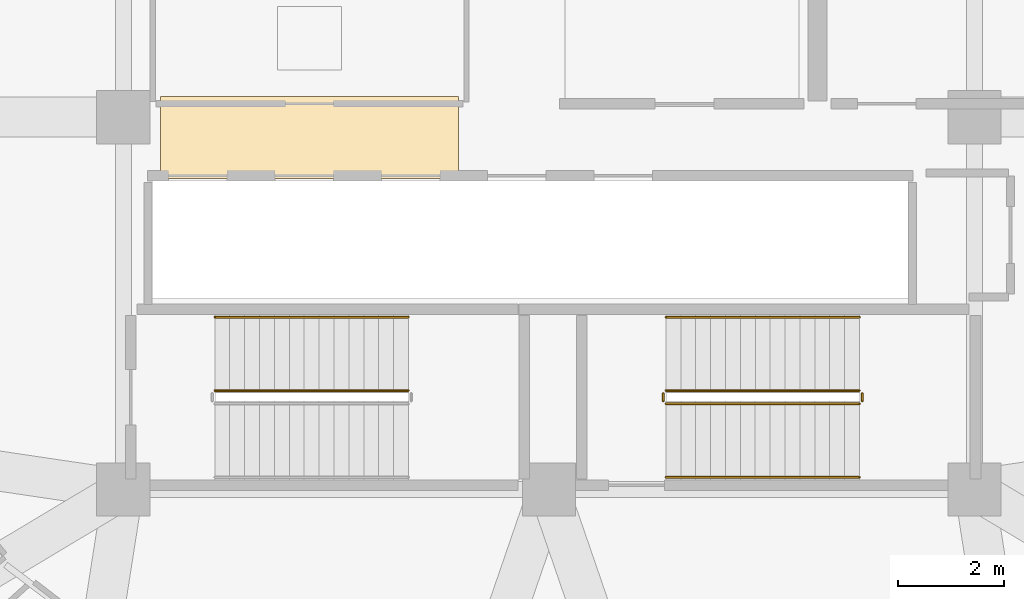
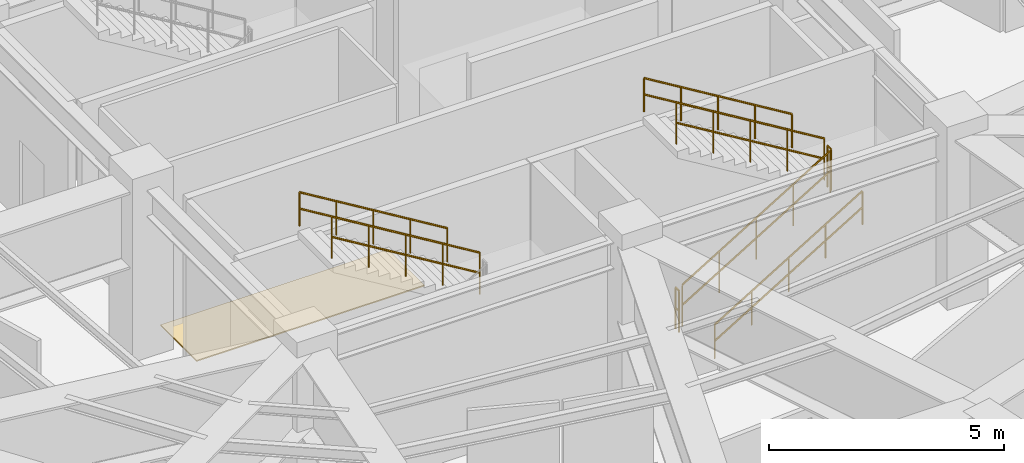
# One storey, part 27 of 29: 8 railings, 1 covering.
"""IFC4 building model written with IfcOpenShell, lengths in metres."""

import ifcopenshell
import ifcopenshell.guid

model = None  # the IFC model being written
_history = None  # IfcOwnerHistory: only IFC2X3 demands one
_inside = {}  # id of a spatial element -> (the spatial element, [elements in it])
_under = {}  # id of a project, library or spatial element -> (it, [spatial elements below it])
_declared = {}  # id of a project -> (the project, [libraries it declares])
_typed = {}  # id of a type object -> (the type object, [elements of that type])
_made_of = {}  # id of a material, layer set ... -> (it, [elements and type objects made of it])


def new_model(schema):
    """Start an empty IFC model of exactly this schema.

    Asked for "IFC4X3", IfcOpenShell would pick the latest addendum, in which some entities
    have other attributes; the version numbers below select the first issue.
    IFC2X3 requires an IfcOwnerHistory on every rooted entity: one is made here for all.
    """
    global model, _history
    if schema == "IFC4X3":
        model = ifcopenshell.file(schema_version=(4, 3, 0, 0))
    else:
        model = ifcopenshell.file(schema=schema)
    _inside.clear()
    _under.clear()
    _declared.clear()
    _typed.clear()
    _made_of.clear()
    _history = None
    if model.schema == "IFC2X3":
        org = make("IfcOrganization", Name="unknown")
        user = make(
            "IfcPersonAndOrganization",
            ThePerson=make("IfcPerson", FamilyName="unknown"),
            TheOrganization=org,
        )
        app = make(
            "IfcApplication",
            ApplicationDeveloper=org,
            Version="unknown",
            ApplicationFullName="unknown",
            ApplicationIdentifier="unknown",
        )
        _history = make(
            "IfcOwnerHistory",
            OwningUser=user,
            OwningApplication=app,
            ChangeAction="ADDED",
            CreationDate=0,
        )
    return model


def make(cls, **values):
    """One entity of the class cls with the attributes given. An attribute that is None is left unset."""
    return model.create_entity(
        cls, **{name: value for name, value in values.items() if value is not None}
    )


def rooted(cls, **values):
    """An entity with a GlobalId (a new one), such as an element, a storey or a relation."""
    return make(cls, GlobalId=ifcopenshell.guid.new(), OwnerHistory=_history, **values)


def si_unit(unit_type, name, prefix=None):
    """IfcSIUnit, for example si_unit("LENGTHUNIT", "METRE", prefix="MILLI")."""
    return make("IfcSIUnit", UnitType=unit_type, Prefix=prefix, Name=name)


def assignment(units):
    """IfcUnitAssignment: the units of a project."""
    return None if units is None else make("IfcUnitAssignment", Units=units)


def point(xyz):
    """IfcCartesianPoint."""
    return None if xyz is None else make("IfcCartesianPoint", Coordinates=xyz)


def direction(xyz):
    """IfcDirection."""
    return None if xyz is None else make("IfcDirection", DirectionRatios=xyz)


def frame(location, z_axis=None, x_axis=None):
    """IfcAxis2Placement3D, a coordinate frame: its origin and axes. An axis left out is left unset."""
    return make(
        "IfcAxis2Placement3D",
        Location=point(location),
        Axis=direction(z_axis),
        RefDirection=direction(x_axis),
    )


def frame_2d(location, x_axis=None):
    """IfcAxis2Placement2D, a coordinate frame in the plane: its origin and x axis."""
    return make(
        "IfcAxis2Placement2D", Location=point(location), RefDirection=direction(x_axis)
    )


def origin():
    """The frame at (0, 0, 0) with its axes left unset."""
    return frame((0.0, 0.0, 0.0))


def origin_2d():
    """The frame at (0, 0) in the plane with its x axis left unset."""
    return frame_2d((0.0, 0.0))


def place(relative_to, where):
    """IfcLocalPlacement: puts the frame where relative to a parent placement (None: the world)."""
    return make(
        "IfcLocalPlacement", PlacementRelTo=relative_to, RelativePlacement=where
    )


def context(
    kind, dimensions, precision=None, world=None, true_north=None, identifier=None
):
    """IfcGeometricRepresentationContext, for example the 3D "Model" context."""
    return make(
        "IfcGeometricRepresentationContext",
        ContextIdentifier=identifier,
        ContextType=kind,
        CoordinateSpaceDimension=dimensions,
        Precision=precision,
        WorldCoordinateSystem=world,
        TrueNorth=true_north,
    )


def subcontext(parent, identifier, kind, view, scale=None):
    """IfcGeometricRepresentationSubContext, for example "Body" below "Model"."""
    return make(
        "IfcGeometricRepresentationSubContext",
        ContextIdentifier=identifier,
        ContextType=kind,
        ParentContext=parent,
        TargetScale=scale,
        TargetView=view,
    )


def project(units=None, contexts=None):
    """IfcProject with its units and contexts."""
    return rooted(
        "IfcProject",
        Name="project",
        RepresentationContexts=contexts,
        UnitsInContext=assignment(units),
    )


def spatial(cls, under=None, at=None, **own):
    """A site, building, storey or space (cls), placed at a placement, below another one or the project."""
    s = rooted(cls, ObjectPlacement=at, **own)
    if under is not None:
        _under.setdefault(under.id(), (under, []))[1].append(s)
    return s


def polyline(points):
    """IfcPolyline through the points."""
    return make("IfcPolyline", Points=[point(p) for p in points])


def profile(cls, at=None, kind="AREA", **sizes):
    """A parametric profile (cls). Its sizes go by their IFC names, for example OverallWidth=200.0."""
    return make(cls, ProfileType=kind, Position=at, **sizes)


def rectangle(**sizes):
    """IfcRectangleProfileDef."""
    return profile("IfcRectangleProfileDef", **sizes)


def outline(outer, holes=None, kind="AREA"):
    """IfcArbitraryClosedProfileDef: a profile drawn as a closed curve; with holes, ...WithVoids."""
    if holes is None:
        return make("IfcArbitraryClosedProfileDef", ProfileType=kind, OuterCurve=outer)
    return make(
        "IfcArbitraryProfileDefWithVoids",
        ProfileType=kind,
        OuterCurve=outer,
        InnerCurves=holes,
    )


def extrude(swept, where, along, depth):
    """IfcExtrudedAreaSolid: the profile swept, set in the frame where, extruded along a direction by depth."""
    return make(
        "IfcExtrudedAreaSolid",
        SweptArea=swept,
        Position=where,
        ExtrudedDirection=direction(along),
        Depth=depth,
    )


def shape(context_of_items, identifier, shape_type, items):
    """IfcShapeRepresentation: the items that make up one representation, for example the "Body"."""
    return make(
        "IfcShapeRepresentation",
        ContextOfItems=context_of_items,
        RepresentationIdentifier=identifier,
        RepresentationType=shape_type,
        Items=items,
    )


def source(mapping_origin, context_of_items, identifier, shape_type, items):
    """IfcRepresentationMap: a shape defined once, which mapped items show again and again."""
    return make(
        "IfcRepresentationMap",
        MappingOrigin=mapping_origin,
        MappedRepresentation=shape(context_of_items, identifier, shape_type, items),
    )


def transform(
    local_origin,
    x_axis=None,
    y_axis=None,
    z_axis=None,
    scale=None,
    scale2=None,
    scale3=None,
    uniform=True,
):
    """IfcCartesianTransformationOperator3D, or its non-uniform kind. x_axis, y_axis, z_axis: its Axis1, 2, 3."""
    if uniform:
        return make(
            "IfcCartesianTransformationOperator3D",
            Axis1=direction(x_axis),
            Axis2=direction(y_axis),
            LocalOrigin=point(local_origin),
            Scale=scale,
            Axis3=direction(z_axis),
        )
    return make(
        "IfcCartesianTransformationOperator3DnonUniform",
        Axis1=direction(x_axis),
        Axis2=direction(y_axis),
        LocalOrigin=point(local_origin),
        Scale=scale,
        Axis3=direction(z_axis),
        Scale2=scale2,
        Scale3=scale3,
    )


def mapped(mapping_source, mapping_target):
    """IfcMappedItem: shows the shape of a source again, moved by a transform."""
    return make(
        "IfcMappedItem", MappingSource=mapping_source, MappingTarget=mapping_target
    )


def material(Name=None, Category=None):
    """IfcMaterial."""
    return make("IfcMaterial", Name=Name, Category=Category)


def layer(
    of_material, thickness, ventilated=None, Name=None, Category=None, Priority=None
):
    """IfcMaterialLayer: one layer of a wall or slab, of a material (None: an air gap)."""
    return make(
        "IfcMaterialLayer",
        Material=of_material,
        LayerThickness=thickness,
        IsVentilated=ventilated,
        Name=Name,
        Category=Category,
        Priority=Priority,
    )


def layer_set(layers, Name=None):
    """IfcMaterialLayerSet."""
    return make("IfcMaterialLayerSet", MaterialLayers=layers, LayerSetName=Name)


def made_of(thing, what):
    """Note that an element or type object is made of a material, layer set ...; save() writes the relation."""
    if what is not None:
        _made_of.setdefault(what.id(), (what, []))[1].append(thing)
    return thing


def type_object(cls, material=None, **own):
    """A type object (cls), such as IfcWallType, which elements share."""
    return made_of(rooted(cls, **own), material)


def element(
    cls,
    number,
    at=None,
    inside=None,
    cuts=None,
    type_object=None,
    material=None,
    context=None,
    identifier="Body",
    shape_type=None,
    held_by="IfcProductDefinitionShape",
    body=None,
    shapes=None,
    **own,
):
    """One element of the class cls, such as IfcWall. Its Tag is "e" and its number.

    at: its placement. inside: the storey or other place that contains it. cuts: it is an
    opening in that element (IfcRelVoidsElement). A single representation is given by context,
    identifier, shape_type and body (its items); several are given by shapes. held_by: the class
    of the entity that holds the representations. save() writes the other relations.
    """
    e = rooted(cls, Tag="e%d" % number, ObjectPlacement=at, **own)
    if body is not None:
        shapes = [shape(context, identifier, shape_type, body)]
    if shapes is not None:
        e.Representation = make(held_by, Representations=shapes)
    if inside is not None:
        _inside.setdefault(inside.id(), (inside, []))[1].append(e)
    if cuts is not None:
        rooted(
            "IfcRelVoidsElement", RelatingBuildingElement=cuts, RelatedOpeningElement=e
        )
    if type_object is not None:
        _typed.setdefault(type_object.id(), (type_object, []))[1].append(e)
    return made_of(e, material)


def aggregate(whole, parts):
    """IfcRelAggregates: a whole, such as a stair, and the parts it consists of."""
    return rooted("IfcRelAggregates", RelatingObject=whole, RelatedObjects=parts)


def save(model, path):
    """Write the relations noted so far, then the file.

    IfcRelAggregates (storeys below a building ...), IfcRelContainedInSpatialStructure (elements
    in a storey), IfcRelDefinesByType, IfcRelAssociatesMaterial and IfcRelDeclares: one each for
    every whole, place, type object, material and project.
    """
    for whole, parts in _under.values():
        aggregate(whole, parts)
    for where, things in _inside.values():
        rooted(
            "IfcRelContainedInSpatialStructure",
            RelatedElements=things,
            RelatingStructure=where,
        )
    for kind, things in _typed.values():
        rooted("IfcRelDefinesByType", RelatedObjects=things, RelatingType=kind)
    for what, things in _made_of.values():
        rooted("IfcRelAssociatesMaterial", RelatedObjects=things, RelatingMaterial=what)
    for by, libraries in _declared.values():
        rooted("IfcRelDeclares", RelatingContext=by, RelatedDefinitions=libraries)
    model.write(path)


model = new_model("IFC4")

# Units and contexts
model_context = context("Model", 3, precision=1e-05, world=origin(), true_north=direction((0.0, 1.0)))
body_context = subcontext(model_context, "Body", "Model", "MODEL_VIEW")
ifc_project = project(units=[si_unit("LENGTHUNIT", "METRE"), si_unit("AREAUNIT", "SQUARE_METRE"), si_unit("VOLUMEUNIT", "CUBIC_METRE"), si_unit("PLANEANGLEUNIT", "RADIAN"), si_unit("MASSUNIT", "GRAM", prefix="KILO")], contexts=[model_context])

# Site, building, storey
site_placement = place(None, origin())
site = spatial("IfcSite", under=ifc_project, at=site_placement, CompositionType="ELEMENT")
building_placement = place(site_placement, origin())
building = spatial("IfcBuilding", under=site, at=building_placement, Name="Kelanora Arch Commons", CompositionType="ELEMENT")
storey_placement = place(building_placement, frame((0.0, 0.0, 238.199951171875)))
storey = spatial("IfcBuildingStorey", under=building, at=storey_placement, Name="L61", CompositionType="ELEMENT", Elevation=238.199951171875)

# Railings
ifc_material_1 = material(Name="Painted steel stair well guard", Category="steel")
railing_type_1 = type_object("IfcRailingType", Name="RAIL-STAIR-GRD", PredefinedType="GUARDRAIL", material=ifc_material_1)
railing_1_placement = place(storey_placement, frame((76.199951171875, 52.610107421875, 0.170166015625)))
element("IfcRailing", 1, at=railing_1_placement, inside=storey, type_object=railing_type_1, Name="L61 ST-T2 stair guard 1", PredefinedType="GUARDRAIL", context=body_context, shape_type="SweptSolid", body=[
    extrude(outline(polyline([(0.02392578125, 0.0), (0.011962890625, 0.020751953125), (-0.011962890625, 0.020751953125), (-0.02392578125, 0.0), (-0.011962890625, -0.020751953125), (0.011962890625, -0.020751953125), (0.02392578125, 0.0)])), frame((0.0, 0.0, 1.076171875), z_axis=(0.854800231366, 0.0, 0.518957189425), x_axis=(0.0, 1.0, 0.0)), (0.0, 0.0, 1.0), 4.258544921875),
    extrude(outline(polyline([(0.02392578125, 0.0), (0.011962890625, 0.020751953125), (-0.011962890625, 0.020751953125), (-0.02392578125, 0.0), (-0.011962890625, -0.020751953125), (0.011962890625, -0.020751953125), (0.02392578125, 0.0)])), frame((0.0, 0.0, 0.550048828125), z_axis=(0.854800231366, 0.0, 0.518957189425), x_axis=(0.0, 1.0, 0.0)), (0.0, 0.0, 1.0), 4.258544921875),
    extrude(outline(polyline([(0.02099609375, 0.0), (0.010498046875, 0.01806640625), (-0.010498046875, 0.01806640625), (-0.02099609375, 0.0), (-0.010498046875, -0.01806640625), (0.010498046875, -0.01806640625), (0.02099609375, 0.0)])), origin(), (0.0, 0.0, 1.0), 1.052001953125),
    extrude(outline(polyline([(0.02099609375, 0.0), (0.010498046875, 0.01806640625), (-0.010498046875, 0.01806640625), (-0.02099609375, 0.0), (-0.010498046875, -0.01806640625), (0.010498046875, -0.01806640625), (0.02099609375, 0.0)])), frame((0.91015625, 0.0, 0.552490234375)), (0.0, 0.0, 1.0), 1.052001953125),
    extrude(outline(polyline([(0.02099609375, 0.0), (0.010498046875, 0.01806640625), (-0.010498046875, 0.01806640625), (-0.02099609375, 0.0), (-0.010498046875, -0.01806640625), (0.010498046875, -0.01806640625), (0.02099609375, 0.0)])), frame((1.820068359375, 0.0, 1.10498046875)), (0.0, 0.0, 1.0), 1.052001953125),
    extrude(outline(polyline([(0.02099609375, 0.0), (0.010498046875, 0.01806640625), (-0.010498046875, 0.01806640625), (-0.02099609375, 0.0), (-0.010498046875, -0.01806640625), (0.010498046875, -0.01806640625), (0.02099609375, 0.0)])), frame((2.72998046875, 0.0, 1.657470703125)), (0.0, 0.0, 1.0), 1.052001953125),
    extrude(outline(polyline([(0.02099609375, 0.0), (0.010498046875, 0.01806640625), (-0.010498046875, 0.01806640625), (-0.02099609375, 0.0), (-0.010498046875, -0.01806640625), (0.010498046875, -0.01806640625), (0.02099609375, 0.0)])), frame((3.64013671875, 0.0, 2.2099609375)), (0.0, 0.0, 1.0), 1.052001953125),
])
railing_2_placement = place(storey_placement, frame((79.889892578125, 52.659912109375, 2.380126953125)))
element("IfcRailing", 2, at=railing_2_placement, inside=storey, type_object=railing_type_1, Name="L61 ST-T2 stair guard 2", PredefinedType="GUARDRAIL", context=body_context, shape_type="SweptSolid", body=[
    extrude(outline(polyline([(0.02392578125, 0.0), (0.011962890625, 0.020751953125), (-0.011962890625, 0.020751953125), (-0.02392578125, 0.0), (-0.011962890625, -0.020751953125), (0.011962890625, -0.020751953125), (0.02392578125, 0.0)])), frame((0.0, 0.0, 1.076171875), z_axis=(0.0, 1.0, 0.0), x_axis=(-1.0, 0.0, 0.0)), (0.0, 0.0, 1.0), 0.150146484375),
    extrude(outline(polyline([(0.02392578125, 0.0), (0.011962890625, 0.020751953125), (-0.011962890625, 0.020751953125), (-0.02392578125, 0.0), (-0.011962890625, -0.020751953125), (0.011962890625, -0.020751953125), (0.02392578125, 0.0)])), frame((0.0, 0.0, 0.550048828125), z_axis=(0.0, 1.0, 0.0), x_axis=(-1.0, 0.0, 0.0)), (0.0, 0.0, 1.0), 0.150146484375),
    extrude(outline(polyline([(0.02099609375, 0.0), (0.010498046875, 0.01806640625), (-0.010498046875, 0.01806640625), (-0.02099609375, 0.0), (-0.010498046875, -0.01806640625), (0.010498046875, -0.01806640625), (0.02099609375, 0.0)])), origin(), (0.0, 0.0, 1.0), 1.052001953125),
    extrude(outline(polyline([(0.02099609375, 0.0), (0.010498046875, 0.01806640625), (-0.010498046875, 0.01806640625), (-0.02099609375, 0.0), (-0.010498046875, -0.01806640625), (0.010498046875, -0.01806640625), (0.02099609375, 0.0)])), frame((0.0, 0.150146484375, 0.0)), (0.0, 0.0, 1.0), 1.052001953125),
])
railing_3_placement = place(storey_placement, frame((79.840087890625, 52.860107421875, 2.550048828125)))
element("IfcRailing", 3, at=railing_3_placement, inside=storey, type_object=railing_type_1, Name="L61 ST-T2 stair guard 3", PredefinedType="GUARDRAIL", context=body_context, shape_type="SweptSolid", body=[
    extrude(outline(polyline([(0.02392578125, 0.0), (0.011962890625, 0.020751953125), (-0.011962890625, 0.020751953125), (-0.02392578125, 0.0), (-0.011962890625, -0.020751953125), (0.011962890625, -0.020751953125), (0.02392578125, 0.0)])), frame((0.0, 0.0, 1.076171875), z_axis=(-0.854800231366, 0.0, 0.518957189425), x_axis=(0.0, -1.0, 0.0)), (0.0, 0.0, 1.0), 4.258544921875),
    extrude(outline(polyline([(0.02392578125, 0.0), (0.011962890625, 0.020751953125), (-0.011962890625, 0.020751953125), (-0.02392578125, 0.0), (-0.011962890625, -0.020751953125), (0.011962890625, -0.020751953125), (0.02392578125, 0.0)])), frame((0.0, 0.0, 0.550048828125), z_axis=(-0.854800231366, 0.0, 0.518957189425), x_axis=(0.0, -1.0, 0.0)), (0.0, 0.0, 1.0), 4.258544921875),
    extrude(outline(polyline([(0.02099609375, 0.0), (0.010498046875, 0.01806640625), (-0.010498046875, 0.01806640625), (-0.02099609375, 0.0), (-0.010498046875, -0.01806640625), (0.010498046875, -0.01806640625), (0.02099609375, 0.0)])), origin(), (0.0, 0.0, 1.0), 1.052001953125),
    extrude(outline(polyline([(0.02099609375, 0.0), (0.010498046875, 0.01806640625), (-0.010498046875, 0.01806640625), (-0.02099609375, 0.0), (-0.010498046875, -0.01806640625), (0.010498046875, -0.01806640625), (0.02099609375, 0.0)])), frame((-0.91015625, 0.0, 0.552490234375)), (0.0, 0.0, 1.0), 1.052001953125),
    extrude(outline(polyline([(0.02099609375, 0.0), (0.010498046875, 0.01806640625), (-0.010498046875, 0.01806640625), (-0.02099609375, 0.0), (-0.010498046875, -0.01806640625), (0.010498046875, -0.01806640625), (0.02099609375, 0.0)])), frame((-1.820068359375, 0.0, 1.10498046875)), (0.0, 0.0, 1.0), 1.052001953125),
    extrude(outline(polyline([(0.02099609375, 0.0), (0.010498046875, 0.01806640625), (-0.010498046875, 0.01806640625), (-0.02099609375, 0.0), (-0.010498046875, -0.01806640625), (0.010498046875, -0.01806640625), (0.02099609375, 0.0)])), frame((-2.72998046875, 0.0, 1.657470703125)), (0.0, 0.0, 1.0), 1.052001953125),
    extrude(outline(polyline([(0.02099609375, 0.0), (0.010498046875, 0.01806640625), (-0.010498046875, 0.01806640625), (-0.02099609375, 0.0), (-0.010498046875, -0.01806640625), (0.010498046875, -0.01806640625), (0.02099609375, 0.0)])), frame((-3.64013671875, 0.0, 2.2099609375)), (0.0, 0.0, 1.0), 1.052001953125),
])
railing_4_placement = place(storey_placement, frame((76.14990234375, 52.659912109375, 0.0)))
element("IfcRailing", 4, at=railing_4_placement, inside=storey, type_object=railing_type_1, Name="L61 ST-T2 stair guard 4", PredefinedType="GUARDRAIL", context=body_context, shape_type="SweptSolid", body=[
    extrude(outline(polyline([(0.02392578125, 0.0), (0.011962890625, 0.020751953125), (-0.011962890625, 0.020751953125), (-0.02392578125, 0.0), (-0.011962890625, -0.020751953125), (0.011962890625, -0.020751953125), (0.02392578125, 0.0)])), frame((0.0, 0.0, 1.076171875), z_axis=(0.0, 1.0, 0.0), x_axis=(-1.0, 0.0, 0.0)), (0.0, 0.0, 1.0), 0.150146484375),
    extrude(outline(polyline([(0.02392578125, 0.0), (0.011962890625, 0.020751953125), (-0.011962890625, 0.020751953125), (-0.02392578125, 0.0), (-0.011962890625, -0.020751953125), (0.011962890625, -0.020751953125), (0.02392578125, 0.0)])), frame((0.0, 0.0, 0.550048828125), z_axis=(0.0, 1.0, 0.0), x_axis=(-1.0, 0.0, 0.0)), (0.0, 0.0, 1.0), 0.150146484375),
    extrude(outline(polyline([(0.02099609375, 0.0), (0.010498046875, 0.01806640625), (-0.010498046875, 0.01806640625), (-0.02099609375, 0.0), (-0.010498046875, -0.01806640625), (0.010498046875, -0.01806640625), (0.02099609375, 0.0)])), origin(), (0.0, 0.0, 1.0), 1.052001953125),
    extrude(outline(polyline([(0.02099609375, 0.0), (0.010498046875, 0.01806640625), (-0.010498046875, 0.01806640625), (-0.02099609375, 0.0), (-0.010498046875, -0.01806640625), (0.010498046875, -0.01806640625), (0.02099609375, 0.0)])), frame((0.0, 0.150146484375, 0.0)), (0.0, 0.0, 1.0), 1.052001953125),
])
railing_5_placement = place(storey_placement, frame((71.360107421875, 52.860107421875, 2.550048828125)))
element("IfcRailing", 5, at=railing_5_placement, inside=storey, type_object=railing_type_1, Name="L61 ST-T3 stair guard 3", PredefinedType="GUARDRAIL", context=body_context, shape_type="SweptSolid", body=[
    extrude(outline(polyline([(0.02392578125, 0.0), (0.011962890625, 0.020751953125), (-0.011962890625, 0.020751953125), (-0.02392578125, 0.0), (-0.011962890625, -0.020751953125), (0.011962890625, -0.020751953125), (0.02392578125, 0.0)])), frame((0.0, 0.0, 1.076171875), z_axis=(-0.854800231366, 0.0, 0.518957189425), x_axis=(0.0, -1.0, 0.0)), (0.0, 0.0, 1.0), 4.258544921875),
    extrude(outline(polyline([(0.02392578125, 0.0), (0.011962890625, 0.020751953125), (-0.011962890625, 0.020751953125), (-0.02392578125, 0.0), (-0.011962890625, -0.020751953125), (0.011962890625, -0.020751953125), (0.02392578125, 0.0)])), frame((0.0, 0.0, 0.550048828125), z_axis=(-0.854800231366, 0.0, 0.518957189425), x_axis=(0.0, -1.0, 0.0)), (0.0, 0.0, 1.0), 4.258544921875),
    extrude(outline(polyline([(0.02099609375, 0.0), (0.010498046875, 0.01806640625), (-0.010498046875, 0.01806640625), (-0.02099609375, 0.0), (-0.010498046875, -0.01806640625), (0.010498046875, -0.01806640625), (0.02099609375, 0.0)])), origin(), (0.0, 0.0, 1.0), 1.052001953125),
    extrude(outline(polyline([(0.02099609375, 0.0), (0.010498046875, 0.01806640625), (-0.010498046875, 0.01806640625), (-0.02099609375, 0.0), (-0.010498046875, -0.01806640625), (0.010498046875, -0.01806640625), (0.02099609375, 0.0)])), frame((-0.91015625, 0.0, 0.552490234375)), (0.0, 0.0, 1.0), 1.052001953125),
    extrude(outline(polyline([(0.02099609375, 0.0), (0.010498046875, 0.01806640625), (-0.010498046875, 0.01806640625), (-0.02099609375, 0.0), (-0.010498046875, -0.01806640625), (0.010498046875, -0.01806640625), (0.02099609375, 0.0)])), frame((-1.820068359375, 0.0, 1.10498046875)), (0.0, 0.0, 1.0), 1.052001953125),
    extrude(outline(polyline([(0.02099609375, 0.0), (0.010498046875, 0.01806640625), (-0.010498046875, 0.01806640625), (-0.02099609375, 0.0), (-0.010498046875, -0.01806640625), (0.010498046875, -0.01806640625), (0.02099609375, 0.0)])), frame((-2.72998046875, 0.0, 1.657470703125)), (0.0, 0.0, 1.0), 1.052001953125),
    extrude(outline(polyline([(0.02099609375, 0.0), (0.010498046875, 0.01806640625), (-0.010498046875, 0.01806640625), (-0.02099609375, 0.0), (-0.010498046875, -0.01806640625), (0.010498046875, -0.01806640625), (0.02099609375, 0.0)])), frame((-3.64013671875, 0.0, 2.2099609375)), (0.0, 0.0, 1.0), 1.052001953125),
])
ifc_material_2 = material(Name="Brushed stainless steel stair handrail", Category="steel")
railing_type_2 = type_object("IfcRailingType", Name="RAIL-STAIR-HND", PredefinedType="HANDRAIL", material=ifc_material_2)
railing_6_placement = place(storey_placement, frame((76.199951171875, 51.22998046875, 0.170166015625)))
element("IfcRailing", 6, at=railing_6_placement, inside=storey, type_object=railing_type_2, Name="L61 ST-T2 stair handrail 1", PredefinedType="HANDRAIL", context=body_context, shape_type="SweptSolid", body=[
    extrude(outline(polyline([(0.02392578125, 0.0), (0.011962890625, 0.020751953125), (-0.011962890625, 0.020751953125), (-0.02392578125, 0.0), (-0.011962890625, -0.020751953125), (0.011962890625, -0.020751953125), (0.02392578125, 0.0)])), frame((0.0, 0.0, 0.8759765625), z_axis=(0.854800231366, 0.0, 0.518957189425), x_axis=(0.0, 1.0, 0.0)), (0.0, 0.0, 1.0), 4.258544921875),
    extrude(outline(polyline([(0.02392578125, 0.0), (0.011962890625, 0.020751953125), (-0.011962890625, 0.020751953125), (-0.02392578125, 0.0), (-0.011962890625, -0.020751953125), (0.011962890625, -0.020751953125), (0.02392578125, 0.0)])), frame((0.0, 0.0, 0.449951171875), z_axis=(0.854800231366, 0.0, 0.518957189425), x_axis=(0.0, 1.0, 0.0)), (0.0, 0.0, 1.0), 4.258544921875),
    extrude(outline(polyline([(0.02099609375, 0.0), (0.010498046875, 0.01806640625), (-0.010498046875, 0.01806640625), (-0.02099609375, 0.0), (-0.010498046875, -0.01806640625), (0.010498046875, -0.01806640625), (0.02099609375, 0.0)])), origin(), (0.0, 0.0, 1.0), 0.851806640625),
    extrude(outline(polyline([(0.02099609375, 0.0), (0.010498046875, 0.01806640625), (-0.010498046875, 0.01806640625), (-0.02099609375, 0.0), (-0.010498046875, -0.01806640625), (0.010498046875, -0.01806640625), (0.02099609375, 0.0)])), frame((0.91015625, 0.0, 0.552490234375)), (0.0, 0.0, 1.0), 0.851806640625),
    extrude(outline(polyline([(0.02099609375, 0.0), (0.010498046875, 0.01806640625), (-0.010498046875, 0.01806640625), (-0.02099609375, 0.0), (-0.010498046875, -0.01806640625), (0.010498046875, -0.01806640625), (0.02099609375, 0.0)])), frame((1.820068359375, 0.0, 1.10498046875)), (0.0, 0.0, 1.0), 0.851806640625),
    extrude(outline(polyline([(0.02099609375, 0.0), (0.010498046875, 0.01806640625), (-0.010498046875, 0.01806640625), (-0.02099609375, 0.0), (-0.010498046875, -0.01806640625), (0.010498046875, -0.01806640625), (0.02099609375, 0.0)])), frame((2.72998046875, 0.0, 1.657470703125)), (0.0, 0.0, 1.0), 0.851806640625),
    extrude(outline(polyline([(0.02099609375, 0.0), (0.010498046875, 0.01806640625), (-0.010498046875, 0.01806640625), (-0.02099609375, 0.0), (-0.010498046875, -0.01806640625), (0.010498046875, -0.01806640625), (0.02099609375, 0.0)])), frame((3.64013671875, 0.0, 2.2099609375)), (0.0, 0.0, 1.0), 0.851806640625),
])
railing_7_placement = place(storey_placement, frame((79.840087890625, 54.239990234375, 2.550048828125)))
element("IfcRailing", 7, at=railing_7_placement, inside=storey, type_object=railing_type_2, Name="L61 ST-T2 stair handrail 2", PredefinedType="HANDRAIL", context=body_context, shape_type="SweptSolid", body=[
    extrude(outline(polyline([(0.02392578125, 0.0), (0.011962890625, 0.020751953125), (-0.011962890625, 0.020751953125), (-0.02392578125, 0.0), (-0.011962890625, -0.020751953125), (0.011962890625, -0.020751953125), (0.02392578125, 0.0)])), frame((0.0, 0.0, 0.8759765625), z_axis=(-0.854800231366, 0.0, 0.518957189425), x_axis=(0.0, -1.0, 0.0)), (0.0, 0.0, 1.0), 4.258544921875),
    extrude(outline(polyline([(0.02392578125, 0.0), (0.011962890625, 0.020751953125), (-0.011962890625, 0.020751953125), (-0.02392578125, 0.0), (-0.011962890625, -0.020751953125), (0.011962890625, -0.020751953125), (0.02392578125, 0.0)])), frame((0.0, 0.0, 0.449951171875), z_axis=(-0.854800231366, 0.0, 0.518957189425), x_axis=(0.0, -1.0, 0.0)), (0.0, 0.0, 1.0), 4.258544921875),
    extrude(outline(polyline([(0.02099609375, 0.0), (0.010498046875, 0.01806640625), (-0.010498046875, 0.01806640625), (-0.02099609375, 0.0), (-0.010498046875, -0.01806640625), (0.010498046875, -0.01806640625), (0.02099609375, 0.0)])), origin(), (0.0, 0.0, 1.0), 0.851806640625),
    extrude(outline(polyline([(0.02099609375, 0.0), (0.010498046875, 0.01806640625), (-0.010498046875, 0.01806640625), (-0.02099609375, 0.0), (-0.010498046875, -0.01806640625), (0.010498046875, -0.01806640625), (0.02099609375, 0.0)])), frame((-0.91015625, 0.0, 0.552490234375)), (0.0, 0.0, 1.0), 0.851806640625),
    extrude(outline(polyline([(0.02099609375, 0.0), (0.010498046875, 0.01806640625), (-0.010498046875, 0.01806640625), (-0.02099609375, 0.0), (-0.010498046875, -0.01806640625), (0.010498046875, -0.01806640625), (0.02099609375, 0.0)])), frame((-1.820068359375, 0.0, 1.10498046875)), (0.0, 0.0, 1.0), 0.851806640625),
    extrude(outline(polyline([(0.02099609375, 0.0), (0.010498046875, 0.01806640625), (-0.010498046875, 0.01806640625), (-0.02099609375, 0.0), (-0.010498046875, -0.01806640625), (0.010498046875, -0.01806640625), (0.02099609375, 0.0)])), frame((-2.72998046875, 0.0, 1.657470703125)), (0.0, 0.0, 1.0), 0.851806640625),
    extrude(outline(polyline([(0.02099609375, 0.0), (0.010498046875, 0.01806640625), (-0.010498046875, 0.01806640625), (-0.02099609375, 0.0), (-0.010498046875, -0.01806640625), (0.010498046875, -0.01806640625), (0.02099609375, 0.0)])), frame((-3.64013671875, 0.0, 2.2099609375)), (0.0, 0.0, 1.0), 0.851806640625),
])
railing_8_placement = place(storey_placement, frame((71.360107421875, 54.239990234375, 2.550048828125)))
element("IfcRailing", 8, at=railing_8_placement, inside=storey, type_object=railing_type_2, Name="L61 ST-T3 stair handrail 2", PredefinedType="HANDRAIL", context=body_context, shape_type="SweptSolid", body=[
    extrude(outline(polyline([(0.02392578125, 0.0), (0.011962890625, 0.020751953125), (-0.011962890625, 0.020751953125), (-0.02392578125, 0.0), (-0.011962890625, -0.020751953125), (0.011962890625, -0.020751953125), (0.02392578125, 0.0)])), frame((0.0, 0.0, 0.8759765625), z_axis=(-0.854800231366, 0.0, 0.518957189425), x_axis=(0.0, -1.0, 0.0)), (0.0, 0.0, 1.0), 4.258544921875),
    extrude(outline(polyline([(0.02392578125, 0.0), (0.011962890625, 0.020751953125), (-0.011962890625, 0.020751953125), (-0.02392578125, 0.0), (-0.011962890625, -0.020751953125), (0.011962890625, -0.020751953125), (0.02392578125, 0.0)])), frame((0.0, 0.0, 0.449951171875), z_axis=(-0.854800231366, 0.0, 0.518957189425), x_axis=(0.0, -1.0, 0.0)), (0.0, 0.0, 1.0), 4.258544921875),
    extrude(outline(polyline([(0.02099609375, 0.0), (0.010498046875, 0.01806640625), (-0.010498046875, 0.01806640625), (-0.02099609375, 0.0), (-0.010498046875, -0.01806640625), (0.010498046875, -0.01806640625), (0.02099609375, 0.0)])), origin(), (0.0, 0.0, 1.0), 0.851806640625),
    extrude(outline(polyline([(0.02099609375, 0.0), (0.010498046875, 0.01806640625), (-0.010498046875, 0.01806640625), (-0.02099609375, 0.0), (-0.010498046875, -0.01806640625), (0.010498046875, -0.01806640625), (0.02099609375, 0.0)])), frame((-0.91015625, 0.0, 0.552490234375)), (0.0, 0.0, 1.0), 0.851806640625),
    extrude(outline(polyline([(0.02099609375, 0.0), (0.010498046875, 0.01806640625), (-0.010498046875, 0.01806640625), (-0.02099609375, 0.0), (-0.010498046875, -0.01806640625), (0.010498046875, -0.01806640625), (0.02099609375, 0.0)])), frame((-1.820068359375, 0.0, 1.10498046875)), (0.0, 0.0, 1.0), 0.851806640625),
    extrude(outline(polyline([(0.02099609375, 0.0), (0.010498046875, 0.01806640625), (-0.010498046875, 0.01806640625), (-0.02099609375, 0.0), (-0.010498046875, -0.01806640625), (0.010498046875, -0.01806640625), (0.02099609375, 0.0)])), frame((-2.72998046875, 0.0, 1.657470703125)), (0.0, 0.0, 1.0), 0.851806640625),
    extrude(outline(polyline([(0.02099609375, 0.0), (0.010498046875, 0.01806640625), (-0.010498046875, 0.01806640625), (-0.02099609375, 0.0), (-0.010498046875, -0.01806640625), (0.010498046875, -0.01806640625), (0.02099609375, 0.0)])), frame((-3.64013671875, 0.0, 2.2099609375)), (0.0, 0.0, 1.0), 0.851806640625),
])

# Covering
ifc_material_3 = material(Name="Polished local granite terrazzo flooring", Category="masonry")
ifc_layer = layer(ifc_material_3, 0.030029296875)
ifc_layer_set = layer_set([ifc_layer], Name="Polished local granite terrazzo flooring")
covering_type = type_object("IfcCoveringType", Name="COV-FLR-TER", PredefinedType="FLOORING", material=ifc_layer_set)
shared_shape = source(origin(), body_context, "Body", "SweptSolid", [
    extrude(rectangle(XDim=5.60009765625, YDim=1.5400390625, at=origin_2d()), origin(), (0.0, 0.0, 1.0), 0.030029296875),
])
covering_placement = place(storey_placement, frame((69.5, 57.6201171875, 0.0), z_axis=(0.0, 0.0, 1.0), x_axis=(1.0, 0.0, 0.0)))
element("IfcCovering", 9, at=covering_placement, inside=storey, type_object=covering_type, Name="Lift Lobby Terrazzo Flooring L61", PredefinedType="FLOORING", context=body_context, shape_type="MappedRepresentation", body=[
    mapped(shared_shape, transform((0.0, 0.0, 0.0), scale=1.0)),
])

save(model, "model.ifc")
